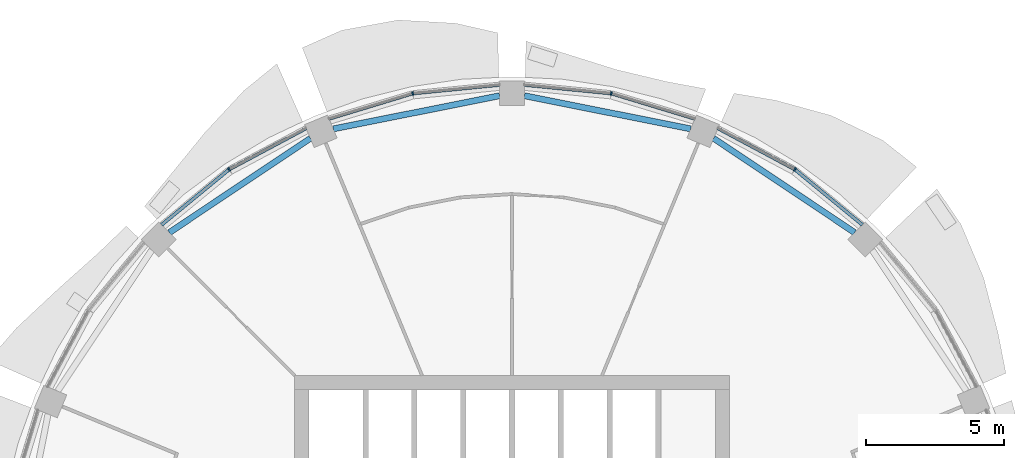
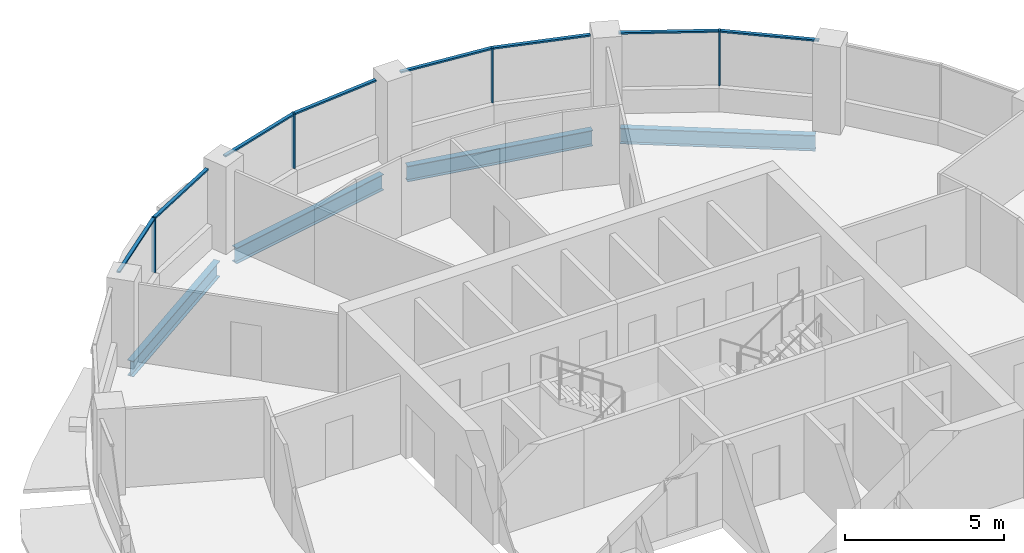
# One storey, part 6 of 15: 12 members, 4 beams, 4 elements without a shape of their own.
"""IFC4 building model written with IfcOpenShell, lengths in metres."""

from ifc_helpers import new_model, si_unit, direction, frame, origin, origin_2d, place, context, subcontext, project, spatial, rectangle, i_section, extrude, material, material_profile, profile_set, type_object, element, aggregate, save


model = new_model("IFC4")

# Units and contexts
model_context = context("Model", 3, precision=1e-05, world=origin(), true_north=direction((0.0, 1.0)))
body_context = subcontext(model_context, "Body", "Model", "MODEL_VIEW")
ifc_project = project(units=[si_unit("LENGTHUNIT", "METRE"), si_unit("AREAUNIT", "SQUARE_METRE"), si_unit("VOLUMEUNIT", "CUBIC_METRE"), si_unit("PLANEANGLEUNIT", "RADIAN"), si_unit("MASSUNIT", "GRAM", prefix="KILO")], contexts=[model_context])

# Site, building, storey
site_placement = place(None, origin())
site = spatial("IfcSite", under=ifc_project, at=site_placement, CompositionType="ELEMENT")
building_placement = place(site_placement, origin())
building = spatial("IfcBuilding", under=site, at=building_placement, Name="Polderwave Tower", CompositionType="ELEMENT")
storey_placement = place(building_placement, frame((0.0, 0.0, 174.25)))
storey = spatial("IfcBuildingStorey", under=building, at=storey_placement, Name="L46", CompositionType="ELEMENT", Elevation=174.25)

# Curtain wall, member
ifc_material_1 = material(Name="Aluminium 6063-T6 and glass", Category="aluminium")
curtain_wall_type = type_object("IfcCurtainWallType", Name="Office ribbon glazing wall", PredefinedType="NOTDEFINED", material=ifc_material_1)
curtain_wall_1_placement = place(storey_placement, origin())
curtain_wall_1 = element("IfcCurtainWall", 1, at=curtain_wall_1_placement, inside=storey, type_object=curtain_wall_type, Name="CW3 L46 02", PredefinedType="NOTDEFINED")
ifc_material_2 = material(Name="Aluminium 6063-T6", Category="aluminium")
ifc_material_profile_1 = material_profile(ifc_material_2, rectangle(XDim=0.139892578125, YDim=0.054931640625, at=origin_2d()), Name="AL 55x140")
ifc_profile_set_1 = profile_set([ifc_material_profile_1], Name="Aluminium 6063-T6")
member_type_1 = type_object("IfcMemberType", Name="Office ribbon glazing mullion 55x140", PredefinedType="MULLION", material=ifc_profile_set_1)
member_1_placement = place(storey_placement, frame((10.25, 15.341064453125, 0.89990234375), z_axis=(0.0, 0.0, 1.0), x_axis=(-0.555454132545, -0.831547176436, 0.0)))
member_1 = element("IfcMember", 2, at=member_1_placement, type_object=member_type_1, Name="CW3 mullion 1", PredefinedType="MULLION", context=body_context, shape_type="SweptSolid", body=[
    extrude(rectangle(XDim=0.139892578125, YDim=0.054931640625, at=origin_2d()), origin(), (0.0, 0.0, 1.0), 2.10009765625),
])

curtain_wall_2_placement = place(storey_placement, origin())
curtain_wall_2 = element("IfcCurtainWall", 3, at=curtain_wall_2_placement, inside=storey, type_object=curtain_wall_type, Name="CW3 L46 03", PredefinedType="NOTDEFINED")
member_2_placement = place(storey_placement, frame((3.59912109375, 18.094970703125, 0.89990234375), z_axis=(0.0, 0.0, 1.0), x_axis=(-0.195097169184, -0.980783918392, 0.0)))
member_2 = element("IfcMember", 4, at=member_2_placement, type_object=member_type_1, Name="CW3 mullion 1", PredefinedType="MULLION", context=body_context, shape_type="SweptSolid", body=[
    extrude(rectangle(XDim=0.139892578125, YDim=0.054931640625, at=origin_2d()), origin(), (0.0, 0.0, 1.0), 2.10009765625),
])

curtain_wall_3_placement = place(storey_placement, origin())
curtain_wall_3 = element("IfcCurtainWall", 5, at=curtain_wall_3_placement, inside=storey, type_object=curtain_wall_type, Name="CW3 L46 04", PredefinedType="NOTDEFINED")
member_3_placement = place(storey_placement, frame((-3.59912109375, 18.094970703125, 0.89990234375), z_axis=(0.0, 0.0, 1.0), x_axis=(0.195097169184, -0.980783918392, 0.0)))
member_3 = element("IfcMember", 6, at=member_3_placement, type_object=member_type_1, Name="CW3 mullion 1", PredefinedType="MULLION", context=body_context, shape_type="SweptSolid", body=[
    extrude(rectangle(XDim=0.139892578125, YDim=0.054931640625, at=origin_2d()), origin(), (0.0, 0.0, 1.0), 2.10009765625),
])

curtain_wall_4_placement = place(storey_placement, origin())
curtain_wall_4 = element("IfcCurtainWall", 7, at=curtain_wall_4_placement, inside=storey, type_object=curtain_wall_type, Name="CW3 L46 05", PredefinedType="NOTDEFINED")
member_4_placement = place(storey_placement, frame((-10.25, 15.341064453125, 0.89990234375), z_axis=(0.0, 0.0, 1.0), x_axis=(0.555454132545, -0.831547176436, 0.0)))
member_4 = element("IfcMember", 8, at=member_4_placement, type_object=member_type_1, Name="CW3 mullion 1", PredefinedType="MULLION", context=body_context, shape_type="SweptSolid", body=[
    extrude(rectangle(XDim=0.139892578125, YDim=0.054931640625, at=origin_2d()), origin(), (0.0, 0.0, 1.0), 2.10009765625),
])

# Member
ifc_material_profile_2 = material_profile(ifc_material_2, rectangle(XDim=0.1201171875, YDim=0.06005859375, at=origin_2d()), Name="AL 60x120")
ifc_profile_set_2 = profile_set([ifc_material_profile_2], Name="Aluminium 6063-T6")
member_type_2 = type_object("IfcMemberType", Name="Office ribbon glazing transom 60x120", PredefinedType="USERDEFINED", material=ifc_profile_set_2)
member_5_placement = place(storey_placement, frame((12.697021484375, 13.3330078125, 2.969970703125), z_axis=(-0.773058696079, 0.634334495686, 0.0), x_axis=(-0.634334495686, -0.773058696079, 0.0)))
member_5 = element("IfcMember", 9, at=member_5_placement, type_object=member_type_2, Name="CW3 transom 1", ObjectType="TRANSOM", PredefinedType="USERDEFINED", context=body_context, shape_type="SweptSolid", body=[
    extrude(rectangle(XDim=0.1201171875, YDim=0.06005859375, at=origin_2d()), origin(), (0.0, 0.0, 1.0), 3.137939453125),
])

member_6_placement = place(storey_placement, frame((10.2255859375, 15.35400390625, 2.969970703125), z_axis=(-0.882020915121, 0.471210255925, 0.0), x_axis=(-0.471210255925, -0.882020915121, 0.0)))
member_6 = element("IfcMember", 10, at=member_6_placement, type_object=member_type_2, Name="CW3 transom 2", ObjectType="TRANSOM", PredefinedType="USERDEFINED", context=body_context, shape_type="SweptSolid", body=[
    extrude(rectangle(XDim=0.1201171875, YDim=0.06005859375, at=origin_2d()), origin(), (0.0, 0.0, 1.0), 3.13671875),
])

aggregate(curtain_wall_1, [member_1, member_5, member_6])

member_7_placement = place(storey_placement, frame((6.6279296875, 17.177001953125, 2.969970703125), z_axis=(-0.957023749989, 0.29000955494, 0.0), x_axis=(-0.29000955494, -0.957023749989, 0.0)))
member_7 = element("IfcMember", 11, at=member_7_placement, type_object=member_type_2, Name="CW3 transom 1", ObjectType="TRANSOM", PredefinedType="USERDEFINED", context=body_context, shape_type="SweptSolid", body=[
    extrude(rectangle(XDim=0.1201171875, YDim=0.06005859375, at=origin_2d()), origin(), (0.0, 0.0, 1.0), 3.137451171875),
])

member_8_placement = place(storey_placement, frame((3.571533203125, 18.09765625, 2.969970703125), z_axis=(-0.995156679386, 0.098301492731, 0.0), x_axis=(-0.098301492731, -0.995156679386, 0.0)))
member_8 = element("IfcMember", 12, at=member_8_placement, type_object=member_type_2, Name="CW3 transom 2", ObjectType="TRANSOM", PredefinedType="USERDEFINED", context=body_context, shape_type="SweptSolid", body=[
    extrude(rectangle(XDim=0.1201171875, YDim=0.06005859375, at=origin_2d()), origin(), (0.0, 0.0, 1.0), 3.13671875),
])

aggregate(curtain_wall_2, [member_2, member_7, member_8])

member_9_placement = place(storey_placement, frame((-0.449951171875, 18.406005859375, 2.969970703125), z_axis=(-0.995156679386, -0.098301492731, 0.0), x_axis=(0.098301492731, -0.995156679386, 0.0)))
member_9 = element("IfcMember", 13, at=member_9_placement, type_object=member_type_2, Name="CW3 transom 1", ObjectType="TRANSOM", PredefinedType="USERDEFINED", context=body_context, shape_type="SweptSolid", body=[
    extrude(rectangle(XDim=0.1201171875, YDim=0.06005859375, at=origin_2d()), origin(), (0.0, 0.0, 1.0), 3.13671875),
])

member_10_placement = place(storey_placement, frame((-3.625244140625, 18.0869140625, 2.969970703125), z_axis=(-0.957023749989, -0.29000955494, 0.0), x_axis=(0.29000955494, -0.957023749989, 0.0)))
member_10 = element("IfcMember", 14, at=member_10_placement, type_object=member_type_2, Name="CW3 transom 2", ObjectType="TRANSOM", PredefinedType="USERDEFINED", context=body_context, shape_type="SweptSolid", body=[
    extrude(rectangle(XDim=0.1201171875, YDim=0.06005859375, at=origin_2d()), origin(), (0.0, 0.0, 1.0), 3.137451171875),
])

aggregate(curtain_wall_3, [member_3, member_9, member_10])

member_11_placement = place(storey_placement, frame((-7.458984375, 16.83203125, 2.969970703125), z_axis=(-0.882020915121, -0.471210255925, 0.0), x_axis=(0.471210255925, -0.882020915121, 0.0)))
member_11 = element("IfcMember", 15, at=member_11_placement, type_object=member_type_2, Name="CW3 transom 1", ObjectType="TRANSOM", PredefinedType="USERDEFINED", context=body_context, shape_type="SweptSolid", body=[
    extrude(rectangle(XDim=0.1201171875, YDim=0.06005859375, at=origin_2d()), origin(), (0.0, 0.0, 1.0), 3.13671875),
])

member_12_placement = place(storey_placement, frame((-10.271240234375, 15.323486328125, 2.969970703125), z_axis=(-0.773058696079, -0.634334495686, 0.0), x_axis=(0.634334495686, -0.773058696079, 0.0)))
member_12 = element("IfcMember", 16, at=member_12_placement, type_object=member_type_2, Name="CW3 transom 2", ObjectType="TRANSOM", PredefinedType="USERDEFINED", context=body_context, shape_type="SweptSolid", body=[
    extrude(rectangle(XDim=0.1201171875, YDim=0.06005859375, at=origin_2d()), origin(), (0.0, 0.0, 1.0), 3.137939453125),
])

aggregate(curtain_wall_4, [member_4, member_11, member_12])

# Beams
ifc_material_3 = material(Name="Steel S355", Category="steel")
ifc_material_profile_3 = material_profile(ifc_material_3, i_section(OverallWidth=0.219970703125, OverallDepth=0.60009765625, WebThickness=0.011962890625, FlangeThickness=0.01904296875, at=origin_2d()), Name="IPE 600")
ifc_profile_set_3 = profile_set([ifc_material_profile_3], Name="Steel S355")
beam_type = type_object("IfcBeamType", Name="RING BEAM IPE 600", PredefinedType="BEAM", material=ifc_profile_set_3)
for number, where, z_axis, x_axis, name in (
    (17, (12.417236328125, 13.053466796875, -0.64990234375), (-0.831469141634, 0.555570937424, 0.0), (-0.555570937424, -0.831469141634, 0.0), "ST-RB-L46-02"),
    (18, (6.4765625, 16.811767578125, -0.64990234375), (-0.980786434346, 0.195084520666, 0.0), (-0.195084520666, -0.980786434346, 0.0), "ST-RB-L46-03"),
    (19, (-0.449951171875, 18.010498046875, -0.64990234375), (-0.980786434346, -0.195084520666, 0.0), (0.195084520666, -0.980786434346, 0.0), "ST-RB-L46-04"),
    (20, (-7.30810546875, 16.46728515625, -0.64990234375), (-0.831469141634, -0.555570937424, 0.0), (0.555570937424, -0.831469141634, 0.0), "ST-RB-L46-05"),
):
    element("IfcBeam", number, at=place(storey_placement, frame(where, z_axis=z_axis, x_axis=x_axis)), inside=storey, type_object=beam_type, Name=name, PredefinedType="BEAM", context=body_context, shape_type="SweptSolid", body=[
        extrude(i_section(OverallWidth=0.219970703125, OverallDepth=0.60009765625, WebThickness=0.011962890625, FlangeThickness=0.01904296875, at=origin_2d()), origin(), (0.0, 0.0, 1.0), 6.144775390625),
    ])

save(model, "model.ifc")
